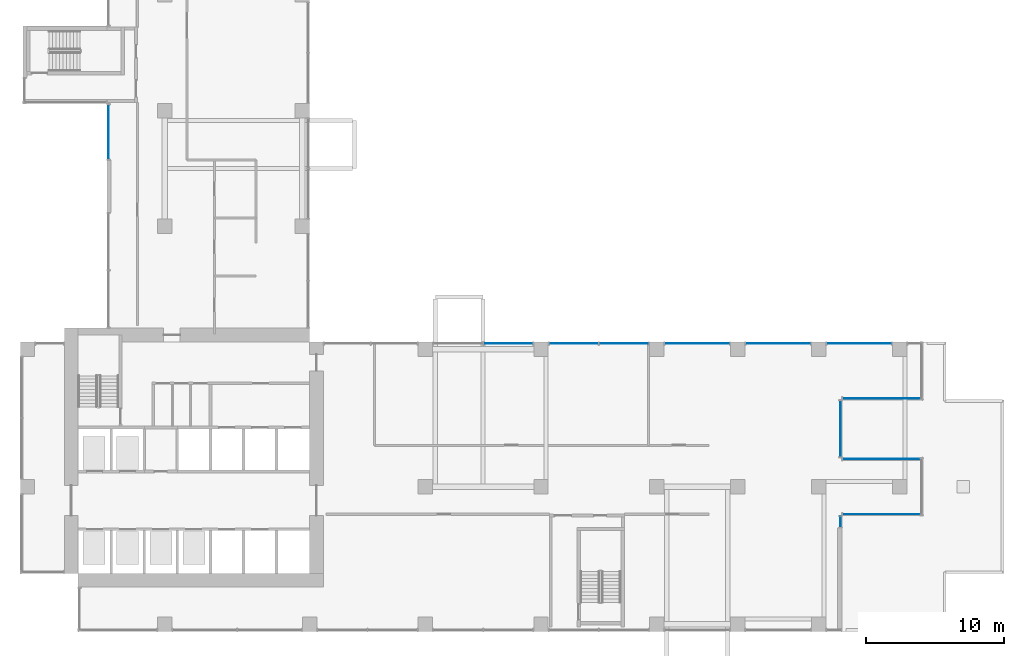
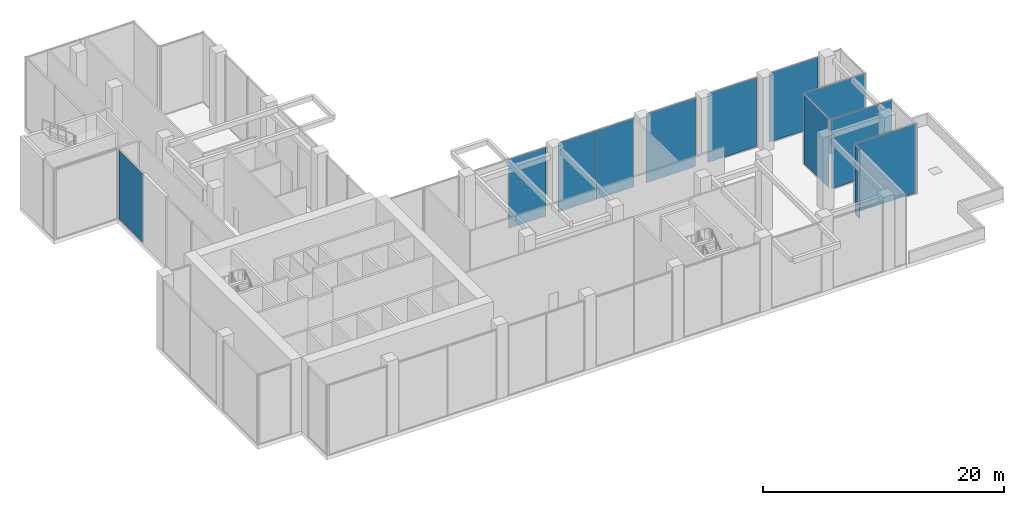
# One storey, part 9 of 18: 12 plates, 11 elements without a shape of their own.
"""IFC4 building model written with IfcOpenShell, lengths in metres."""

from ifc_helpers import new_model, si_unit, direction, frame, origin, origin_2d, place, context, subcontext, project, spatial, rectangle, extrude, source, transform, mapped, material, layer, layer_set, type_object, element, aggregate, save


model = new_model("IFC4")

# Units and contexts
model_context = context("Model", 3, precision=1e-05, world=origin(), true_north=direction((0.0, 1.0)))
body_context = subcontext(model_context, "Body", "Model", "MODEL_VIEW")
ifc_project = project(units=[si_unit("LENGTHUNIT", "METRE"), si_unit("AREAUNIT", "SQUARE_METRE"), si_unit("VOLUMEUNIT", "CUBIC_METRE"), si_unit("PLANEANGLEUNIT", "RADIAN"), si_unit("MASSUNIT", "GRAM", prefix="KILO")], contexts=[model_context])

# Site, building, storey
site_placement = place(None, origin())
site = spatial("IfcSite", under=ifc_project, at=site_placement, CompositionType="ELEMENT")
building_placement = place(site_placement, origin())
building = spatial("IfcBuilding", under=site, at=building_placement, Name="Aurelian Terraces", CompositionType="ELEMENT")
storey_placement = place(building_placement, frame((0.0, 0.0, 170.3)))
storey = spatial("IfcBuildingStorey", under=building, at=storey_placement, Name="L37", CompositionType="ELEMENT", Elevation=170.3)

# Curtain wall, plate
ifc_material_1 = material(Name="Anodised aluminium and clear glazing", Category="aluminium")
ifc_layer_1 = layer(ifc_material_1, 0.2)
ifc_layer_set_1 = layer_set([ifc_layer_1], Name="Lobby glazing curtain wall")
curtain_wall_type = type_object("IfcCurtainWallType", Name="Lobby glazing curtain wall", PredefinedType="NOTDEFINED", material=ifc_layer_set_1)
curtain_wall_1_placement = place(storey_placement, origin())
curtain_wall_1 = element("IfcCurtainWall", 1, at=curtain_wall_1_placement, inside=storey, type_object=curtain_wall_type, Name="Lobby glazing L37 F02.3", PredefinedType="NOTDEFINED")
ifc_material_2 = material(Name="Clear glazing", Category="glass")
ifc_layer_2 = layer(ifc_material_2, 0.028)
ifc_layer_set_2 = layer_set([ifc_layer_2], Name="Lobby glazing glazing panel")
plate_type = type_object("IfcPlateType", Name="Lobby glazing glazing panel", PredefinedType="CURTAIN_PANEL", material=ifc_layer_set_2)
plate_1_placement = place(storey_placement, frame((59.54, 7.95, 0.06), z_axis=(0.0, 0.0, 1.0), x_axis=(0.0, 1.0, 0.0)))
plate_1 = element("IfcPlate", 2, at=plate_1_placement, type_object=plate_type, Name="CW2 panel 1.1", PredefinedType="CURTAIN_PANEL", context=body_context, shape_type="SweptSolid", body=[
    extrude(rectangle(XDim=0.78, YDim=0.028, at=origin_2d()), origin(), (0.0, 0.0, 1.0), 6.98),
])
aggregate(curtain_wall_1, [plate_1])

curtain_wall_2_placement = place(storey_placement, origin())
curtain_wall_2 = element("IfcCurtainWall", 3, at=curtain_wall_2_placement, inside=storey, type_object=curtain_wall_type, Name="Lobby glazing L37 F03.1", PredefinedType="NOTDEFINED")
plate_2_placement = place(storey_placement, frame((62.58, 8.5, 0.06), z_axis=(0.0, 0.0, 1.0), x_axis=(1.0, 0.0, 0.0)))
plate_2 = element("IfcPlate", 4, at=plate_2_placement, type_object=plate_type, Name="CW2 panel 1.1", PredefinedType="CURTAIN_PANEL", context=body_context, shape_type="SweptSolid", body=[
    extrude(rectangle(XDim=5.76, YDim=0.028, at=origin_2d()), origin(), (0.0, 0.0, 1.0), 6.98),
])
aggregate(curtain_wall_2, [plate_2])

curtain_wall_3_placement = place(storey_placement, origin())
curtain_wall_3 = element("IfcCurtainWall", 5, at=curtain_wall_3_placement, inside=storey, type_object=curtain_wall_type, Name="Lobby glazing L37 F18.1", PredefinedType="NOTDEFINED")
plate_3_placement = place(storey_placement, frame((6.4, 36.25, 0.06), z_axis=(0.0, 0.0, 1.0), x_axis=(0.0, -1.0, 0.0)))
plate_3 = element("IfcPlate", 6, at=plate_3_placement, type_object=plate_type, Name="CW2 panel 1.1", PredefinedType="CURTAIN_PANEL", context=body_context, shape_type="SweptSolid", body=[
    extrude(rectangle(XDim=3.98, YDim=0.028, at=origin_2d()), origin(), (0.0, 0.0, 1.0), 6.98),
])
aggregate(curtain_wall_3, [plate_3])

# Curtain wall, plates
curtain_wall_4_placement = place(storey_placement, origin())
curtain_wall_4 = element("IfcCurtainWall", 7, at=curtain_wall_4_placement, inside=storey, type_object=curtain_wall_type, Name="Lobby glazing L37 F09.5", PredefinedType="NOTDEFINED")
shared_shape_1 = source(origin(), body_context, "Body", "SweptSolid", [
    extrude(rectangle(XDim=3.585, YDim=0.028, at=origin_2d()), origin(), (0.0, 0.0, 1.0), 6.98),
])
plate_4_placement = place(storey_placement, frame((43.8225, 20.9, 0.06), z_axis=(0.0, 0.0, 1.0), x_axis=(-1.0, 0.0, 0.0)))
plate_4 = element("IfcPlate", 8, at=plate_4_placement, type_object=plate_type, Name="CW2 panel 1.1", PredefinedType="CURTAIN_PANEL", context=body_context, shape_type="MappedRepresentation", body=[
    mapped(shared_shape_1, transform((0.0, 0.0, 0.0), scale=1.0)),
])
plate_5_placement = place(storey_placement, frame((40.1775, 20.9, 0.06), z_axis=(0.0, 0.0, 1.0), x_axis=(-1.0, 0.0, 0.0)))
plate_5 = element("IfcPlate", 9, at=plate_5_placement, type_object=plate_type, Name="CW2 panel 2.1", PredefinedType="CURTAIN_PANEL", context=body_context, shape_type="MappedRepresentation", body=[
    mapped(shared_shape_1, transform((0.0, 0.0, 0.0), scale=1.0)),
])
aggregate(curtain_wall_4, [plate_4, plate_5])

# Curtain wall, plate
curtain_wall_5_placement = place(storey_placement, origin())
curtain_wall_5 = element("IfcCurtainWall", 10, at=curtain_wall_5_placement, inside=storey, type_object=curtain_wall_type, Name="Lobby glazing L37 F09.6", PredefinedType="NOTDEFINED")
plate_6_placement = place(storey_placement, frame((35.4225, 20.9, 0.06), z_axis=(0.0, 0.0, 1.0), x_axis=(-1.0, 0.0, 0.0)))
plate_6 = element("IfcPlate", 11, at=plate_6_placement, type_object=plate_type, Name="CW2 panel 1.1", PredefinedType="CURTAIN_PANEL", context=body_context, shape_type="MappedRepresentation", body=[
    mapped(shared_shape_1, transform((0.0, 0.0, 0.0), scale=1.0)),
])
aggregate(curtain_wall_5, [plate_6])

curtain_wall_6_placement = place(storey_placement, origin())
curtain_wall_6 = element("IfcCurtainWall", 12, at=curtain_wall_6_placement, inside=storey, type_object=curtain_wall_type, Name="Lobby glazing L37 F09.2", PredefinedType="NOTDEFINED")
shared_shape_2 = source(origin(), body_context, "Body", "SweptSolid", [
    extrude(rectangle(XDim=4.71, YDim=0.028, at=origin_2d()), origin(), (0.0, 0.0, 1.0), 6.98),
])
plate_7_placement = place(storey_placement, frame((60.9, 20.9, 0.06), z_axis=(0.0, 0.0, 1.0), x_axis=(-1.0, 0.0, 0.0)))
plate_7 = element("IfcPlate", 13, at=plate_7_placement, type_object=plate_type, Name="CW2 panel 1.1", PredefinedType="CURTAIN_PANEL", context=body_context, shape_type="MappedRepresentation", body=[
    mapped(shared_shape_2, transform((0.0, 0.0, 0.0), scale=1.0)),
])
aggregate(curtain_wall_6, [plate_7])

curtain_wall_7_placement = place(storey_placement, origin())
curtain_wall_7 = element("IfcCurtainWall", 14, at=curtain_wall_7_placement, inside=storey, type_object=curtain_wall_type, Name="Lobby glazing L37 F09.3", PredefinedType="NOTDEFINED")
plate_8_placement = place(storey_placement, frame((55.02, 20.9, 0.06), z_axis=(0.0, 0.0, 1.0), x_axis=(-1.0, 0.0, 0.0)))
plate_8 = element("IfcPlate", 15, at=plate_8_placement, type_object=plate_type, Name="CW2 panel 1.1", PredefinedType="CURTAIN_PANEL", context=body_context, shape_type="MappedRepresentation", body=[
    mapped(shared_shape_2, transform((0.0, 0.0, 0.0), scale=1.0)),
])
aggregate(curtain_wall_7, [plate_8])

curtain_wall_8_placement = place(storey_placement, origin())
curtain_wall_8 = element("IfcCurtainWall", 16, at=curtain_wall_8_placement, inside=storey, type_object=curtain_wall_type, Name="Lobby glazing L37 F09.4", PredefinedType="NOTDEFINED")
plate_9_placement = place(storey_placement, frame((49.14, 20.9, 0.06), z_axis=(0.0, 0.0, 1.0), x_axis=(-1.0, 0.0, 0.0)))
plate_9 = element("IfcPlate", 17, at=plate_9_placement, type_object=plate_type, Name="CW2 panel 1.1", PredefinedType="CURTAIN_PANEL", context=body_context, shape_type="MappedRepresentation", body=[
    mapped(shared_shape_2, transform((0.0, 0.0, 0.0), scale=1.0)),
])
aggregate(curtain_wall_8, [plate_9])

curtain_wall_9_placement = place(storey_placement, origin())
curtain_wall_9 = element("IfcCurtainWall", 18, at=curtain_wall_9_placement, inside=storey, type_object=curtain_wall_type, Name="Lobby glazing L37 F05.1", PredefinedType="NOTDEFINED")
shared_shape_3 = source(origin(), body_context, "Body", "SweptSolid", [
    extrude(rectangle(XDim=5.76, YDim=0.028, at=origin_2d()), origin(), (0.0, 0.0, 1.0), 6.98),
])
plate_10_placement = place(storey_placement, frame((62.58, 12.5, 0.06), z_axis=(0.0, 0.0, 1.0), x_axis=(-1.0, 0.0, 0.0)))
plate_10 = element("IfcPlate", 19, at=plate_10_placement, type_object=plate_type, Name="CW2 panel 1.1", PredefinedType="CURTAIN_PANEL", context=body_context, shape_type="MappedRepresentation", body=[
    mapped(shared_shape_3, transform((0.0, 0.0, 0.0), scale=1.0)),
])
aggregate(curtain_wall_9, [plate_10])

curtain_wall_10_placement = place(storey_placement, origin())
curtain_wall_10 = element("IfcCurtainWall", 20, at=curtain_wall_10_placement, inside=storey, type_object=curtain_wall_type, Name="Lobby glazing L37 F07.1", PredefinedType="NOTDEFINED")
plate_11_placement = place(storey_placement, frame((62.58, 16.9, 0.06), z_axis=(0.0, 0.0, 1.0), x_axis=(1.0, 0.0, 0.0)))
plate_11 = element("IfcPlate", 21, at=plate_11_placement, type_object=plate_type, Name="CW2 panel 1.1", PredefinedType="CURTAIN_PANEL", context=body_context, shape_type="MappedRepresentation", body=[
    mapped(shared_shape_3, transform((0.0, 0.0, 0.0), scale=1.0)),
])
aggregate(curtain_wall_10, [plate_11])

curtain_wall_11_placement = place(storey_placement, origin())
curtain_wall_11 = element("IfcCurtainWall", 22, at=curtain_wall_11_placement, inside=storey, type_object=curtain_wall_type, Name="Lobby glazing L37 F06.1", PredefinedType="NOTDEFINED")
shared_shape_4 = source(origin(), body_context, "Body", "SweptSolid", [
    extrude(rectangle(XDim=4.08, YDim=0.028, at=origin_2d()), origin(), (0.0, 0.0, 1.0), 6.98),
])
plate_12_placement = place(storey_placement, frame((59.54, 14.7, 0.06), z_axis=(0.0, 0.0, 1.0), x_axis=(0.0, 1.0, 0.0)))
plate_12 = element("IfcPlate", 23, at=plate_12_placement, type_object=plate_type, Name="CW2 panel 1.1", PredefinedType="CURTAIN_PANEL", context=body_context, shape_type="MappedRepresentation", body=[
    mapped(shared_shape_4, transform((0.0, 0.0, 0.0), scale=1.0)),
])
aggregate(curtain_wall_11, [plate_12])

save(model, "model.ifc")
